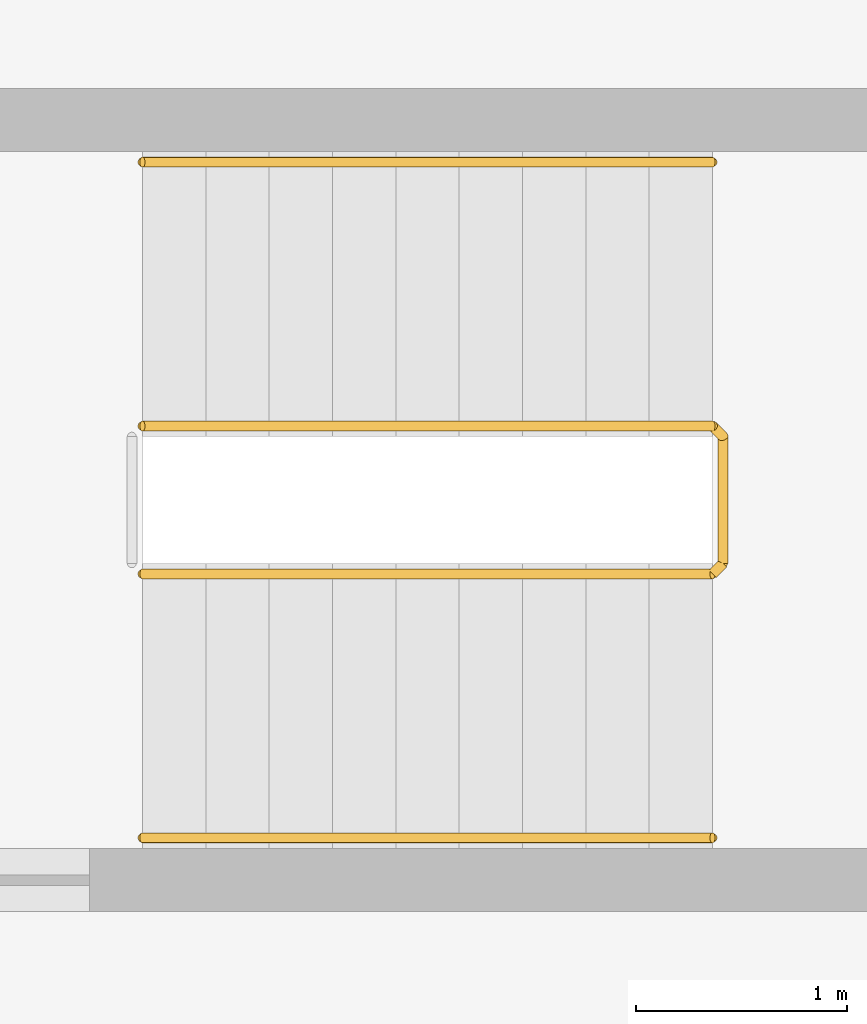
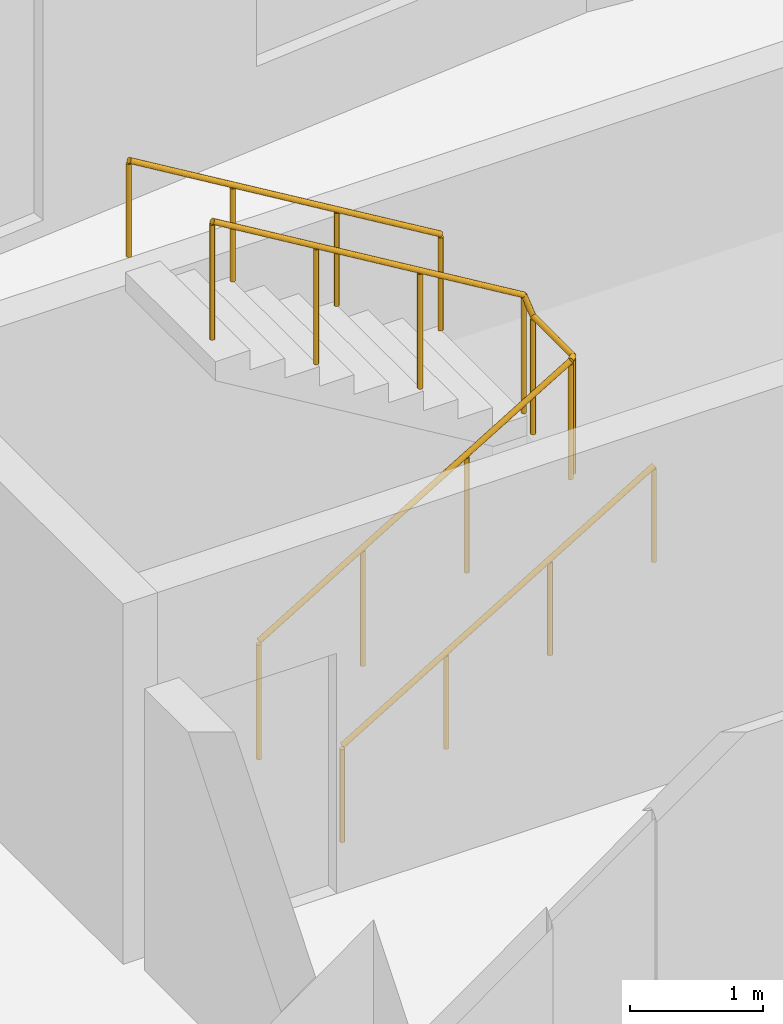
# One storey, part 12 of 12: 3 railings.
"""IFC4 building model written with IfcOpenShell, lengths in metres."""

from ifc_helpers import new_model, si_unit, direction, frame, origin, origin_2d, place, context, subcontext, project, spatial, circle, extrude, material, type_object, element, save


model = new_model("IFC4")

# Units and contexts
model_context = context("Model", 3, precision=1e-05, world=origin(), true_north=direction((0.0, 1.0)))
body_context = subcontext(model_context, "Body", "Model", "MODEL_VIEW")
ifc_project = project(units=[si_unit("LENGTHUNIT", "METRE"), si_unit("AREAUNIT", "SQUARE_METRE"), si_unit("VOLUMEUNIT", "CUBIC_METRE"), si_unit("PLANEANGLEUNIT", "RADIAN"), si_unit("MASSUNIT", "GRAM", prefix="KILO")], contexts=[model_context])

# Site, building, storey
site_placement = place(None, origin())
site = spatial("IfcSite", under=ifc_project, at=site_placement, CompositionType="ELEMENT")
building_placement = place(site_placement, origin())
building = spatial("IfcBuilding", under=site, at=building_placement, Name="Brondeck Convention Tower", CompositionType="ELEMENT")
storey_placement = place(building_placement, frame((0.0, 0.0, 80.699951171875)))
storey = spatial("IfcBuildingStorey", under=building, at=storey_placement, Name="L18", CompositionType="ELEMENT", Elevation=80.699951171875)

# Railings
ifc_material = material(Name="Steel S355", Category="steel")
railing_type_1 = type_object("IfcRailingType", Name="Stair guard 1100", PredefinedType="GUARDRAIL", material=ifc_material)
railing_1_placement = place(storey_placement, frame((37.85009765625, 55.449951171875, 0.179931640625)))
element("IfcRailing", 1, at=railing_1_placement, inside=storey, type_object=railing_type_1, Name="L18 ST-AE stair guard 1", PredefinedType="GUARDRAIL", context=body_context, shape_type="SweptSolid", body=[
    extrude(circle(Radius=0.02392578125, at=origin_2d()), frame((0.0, 0.0, 1.076171875), z_axis=(0.857472400752, 0.0, 0.514529962148), x_axis=(0.0, 1.0, 0.0)), (0.0, 0.0, 1.0), 3.148681640625),
    extrude(circle(Radius=0.02392578125, at=origin_2d()), frame((2.699951171875, 0.0, 2.6962890625), z_axis=(0.707106781187, 0.707106781187, 0.0), x_axis=(-0.707106781187, 0.707106781187, 0.0)), (0.0, 0.0, 1.0), 0.07080078125),
    extrude(circle(Radius=0.02392578125, at=origin_2d()), frame((2.75, 0.050048828125, 2.6962890625), z_axis=(0.0, 1.0, 0.0), x_axis=(-1.0, 0.0, 0.0)), (0.0, 0.0, 1.0), 0.60009765625),
    extrude(circle(Radius=0.02392578125, at=origin_2d()), frame((2.75, 0.650146484375, 2.6962890625), z_axis=(-0.258932105505, 0.257669022063, 0.930892496375), x_axis=(-0.705375805398, -0.708833529934, 0.0)), (0.0, 0.0, 1.0), 0.193359375),
    extrude(circle(Radius=0.02392578125, at=origin_2d()), frame((2.699951171875, 0.699951171875, 2.8759765625), z_axis=(-0.857472400752, 0.0, 0.514529962148), x_axis=(0.0, -1.0, 0.0)), (0.0, 0.0, 1.0), 3.148681640625),
    extrude(circle(Radius=0.02099609375, at=origin_2d()), origin(), (0.0, 0.0, 1.0), 1.052001953125),
    extrude(circle(Radius=0.02099609375, at=origin_2d()), frame((0.89990234375, 0.0, 0.5400390625)), (0.0, 0.0, 1.0), 1.052001953125),
    extrude(circle(Radius=0.02099609375, at=origin_2d()), frame((1.800048828125, 0.0, 1.080078125)), (0.0, 0.0, 1.0), 1.052001953125),
    extrude(circle(Radius=0.02099609375, at=origin_2d()), frame((2.699951171875, 0.0, 1.6201171875)), (0.0, 0.0, 1.0), 1.052001953125),
    extrude(circle(Radius=0.02099609375, at=origin_2d()), frame((2.75, 0.050048828125, 1.6201171875)), (0.0, 0.0, 1.0), 1.052001953125),
    extrude(circle(Radius=0.02099609375, at=origin_2d()), frame((2.75, 0.650146484375, 1.6201171875)), (0.0, 0.0, 1.0), 1.052001953125),
    extrude(circle(Radius=0.02099609375, at=origin_2d()), frame((2.699951171875, 0.699951171875, 1.800048828125)), (0.0, 0.0, 1.0), 1.052001953125),
    extrude(circle(Radius=0.02099609375, at=origin_2d()), frame((1.800048828125, 0.699951171875, 2.340087890625)), (0.0, 0.0, 1.0), 1.052001953125),
    extrude(circle(Radius=0.02099609375, at=origin_2d()), frame((0.89990234375, 0.699951171875, 2.880126953125)), (0.0, 0.0, 1.0), 1.052001953125),
    extrude(circle(Radius=0.02099609375, at=origin_2d()), frame((0.0, 0.699951171875, 3.420166015625)), (0.0, 0.0, 1.0), 1.052001953125),
])
railing_type_2 = type_object("IfcRailingType", Name="Stair handrail", PredefinedType="HANDRAIL", material=ifc_material)
railing_2_placement = place(storey_placement, frame((37.85009765625, 54.199951171875, 0.179931640625)))
element("IfcRailing", 2, at=railing_2_placement, inside=storey, type_object=railing_type_2, Name="L18 ST-AE stair handrail 1", PredefinedType="HANDRAIL", context=body_context, shape_type="SweptSolid", body=[
    extrude(circle(Radius=0.02392578125, at=origin_2d()), frame((0.0, 0.0, 0.8759765625), z_axis=(0.857472400752, 0.0, 0.514529962148), x_axis=(0.0, 1.0, 0.0)), (0.0, 0.0, 1.0), 3.148681640625),
    extrude(circle(Radius=0.02099609375, at=origin_2d()), origin(), (0.0, 0.0, 1.0), 0.851806640625),
    extrude(circle(Radius=0.02099609375, at=origin_2d()), frame((0.89990234375, 0.0, 0.5400390625)), (0.0, 0.0, 1.0), 0.851806640625),
    extrude(circle(Radius=0.02099609375, at=origin_2d()), frame((1.800048828125, 0.0, 1.080078125)), (0.0, 0.0, 1.0), 0.851806640625),
    extrude(circle(Radius=0.02099609375, at=origin_2d()), frame((2.699951171875, 0.0, 1.6201171875)), (0.0, 0.0, 1.0), 0.851806640625),
])
railing_3_placement = place(storey_placement, frame((40.550048828125, 57.39990234375, 1.97998046875)))
element("IfcRailing", 3, at=railing_3_placement, inside=storey, type_object=railing_type_2, Name="L18 ST-AE stair handrail 2", PredefinedType="HANDRAIL", context=body_context, shape_type="SweptSolid", body=[
    extrude(circle(Radius=0.02392578125, at=origin_2d()), frame((0.0, 0.0, 0.8759765625), z_axis=(-0.857472400752, 0.0, 0.514529962148), x_axis=(0.0, -1.0, 0.0)), (0.0, 0.0, 1.0), 3.148681640625),
    extrude(circle(Radius=0.02099609375, at=origin_2d()), origin(), (0.0, 0.0, 1.0), 0.851806640625),
    extrude(circle(Radius=0.02099609375, at=origin_2d()), frame((-0.89990234375, 0.0, 0.5400390625)), (0.0, 0.0, 1.0), 0.851806640625),
    extrude(circle(Radius=0.02099609375, at=origin_2d()), frame((-1.800048828125, 0.0, 1.080078125)), (0.0, 0.0, 1.0), 0.851806640625),
    extrude(circle(Radius=0.02099609375, at=origin_2d()), frame((-2.699951171875, 0.0, 1.6201171875)), (0.0, 0.0, 1.0), 0.851806640625),
])

save(model, "model.ifc")
